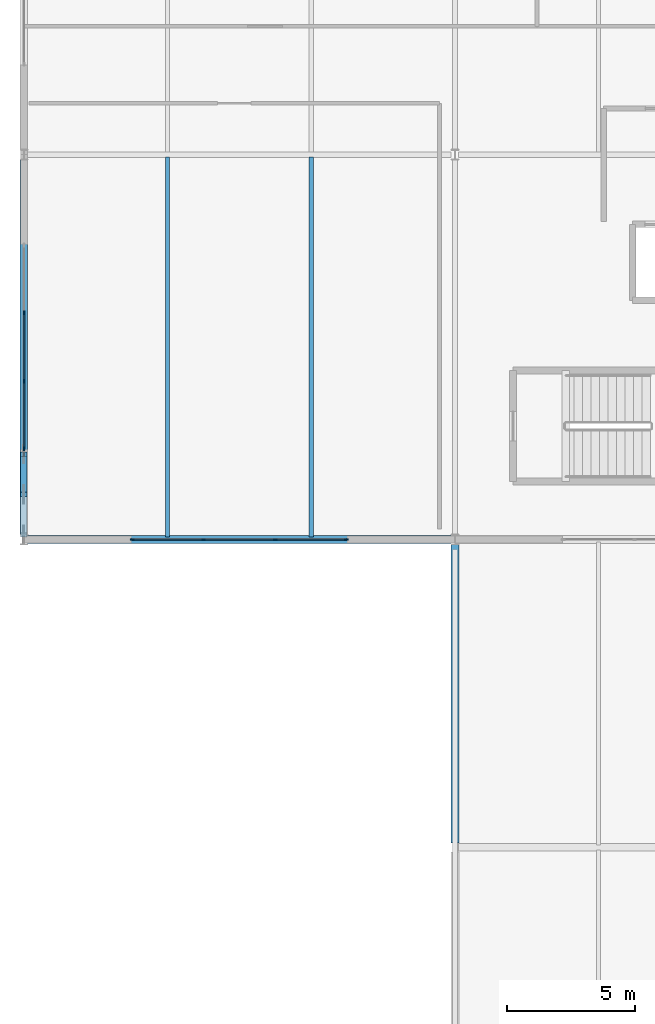
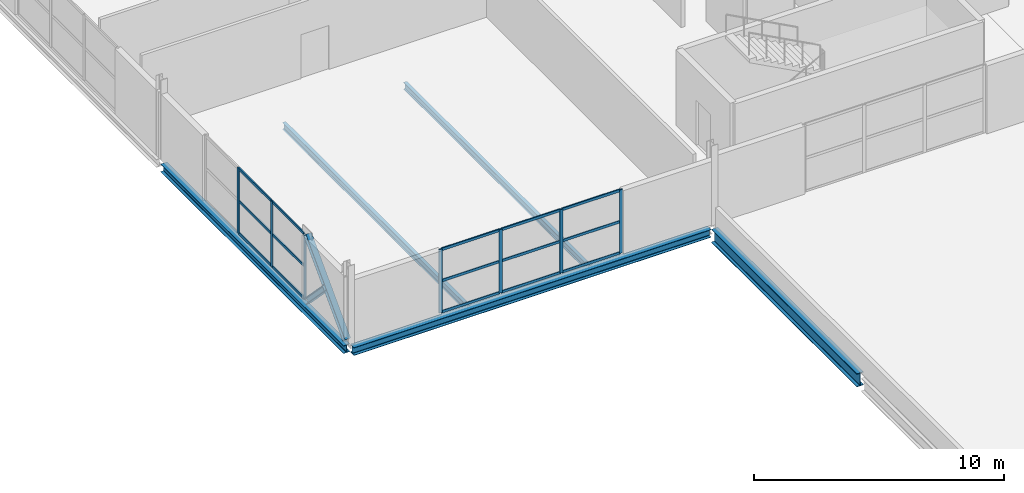
# One storey, part 7 of 36: 24 members, 5 beams, 2 elements without a shape of their own.
"""IFC4 building model written with IfcOpenShell, lengths in metres."""

from ifc_helpers import new_model, si_unit, direction, frame, origin, origin_2d, place, context, subcontext, project, spatial, rectangle, i_section, extrude, material, material_profile, profile_set, type_object, element, aggregate, save


model = new_model("IFC4")

# Units and contexts
model_context = context("Model", 3, precision=1e-05, world=origin(), true_north=direction((0.0, 1.0)))
body_context = subcontext(model_context, "Body", "Model", "MODEL_VIEW")
ifc_project = project(units=[si_unit("LENGTHUNIT", "METRE"), si_unit("AREAUNIT", "SQUARE_METRE"), si_unit("VOLUMEUNIT", "CUBIC_METRE"), si_unit("PLANEANGLEUNIT", "RADIAN"), si_unit("MASSUNIT", "GRAM", prefix="KILO")], contexts=[model_context])

# Site, building, storey
site_placement = place(None, origin())
site = spatial("IfcSite", under=ifc_project, at=site_placement, CompositionType="ELEMENT")
building_placement = place(site_placement, origin())
building = spatial("IfcBuilding", under=site, at=building_placement, Name="Kimbaza Rail Terminus", CompositionType="ELEMENT")
storey_placement = place(building_placement, frame((0.0, 0.0, 21.0)))
storey = spatial("IfcBuildingStorey", under=building, at=storey_placement, Name="L04", CompositionType="ELEMENT", Elevation=21.0)

# Curtain wall, members
ifc_material_1 = material(Name="Anodised aluminium framing and solar low-E glazing", Category="aluminium")
curtain_wall_type = type_object("IfcCurtainWallType", Name="ARC-CW-OP2", PredefinedType="USERDEFINED", material=ifc_material_1)
curtain_wall_1_placement = place(storey_placement, origin())
curtain_wall_1 = element("IfcCurtainWall", 1, at=curtain_wall_1_placement, inside=storey, type_object=curtain_wall_type, Name="Operations South Curtain Wall L04 Bay 1", ObjectType="STICK CURTAIN WALL", PredefinedType="USERDEFINED")
ifc_material_2 = material(Name="Anodised architectural aluminium", Category="aluminium")
ifc_material_profile_1 = material_profile(ifc_material_2, rectangle(XDim=0.05810546875, YDim=0.14990234375, at=origin_2d()), Name="MULLION 58x150")
ifc_profile_set_1 = profile_set([ifc_material_profile_1], Name="Anodised architectural aluminium")
member_type_1 = type_object("IfcMemberType", Name="ARC-CWM-06", PredefinedType="MULLION", material=ifc_profile_set_1)
member_1_placement = place(storey_placement, frame((59.428955078125, 103.0, 0.0), z_axis=(0.0, 0.0, 1.0), x_axis=(0.0, 1.0, 0.0)))
member_1 = element("IfcMember", 2, at=member_1_placement, type_object=member_type_1, Name="CW-06 mullion 1", PredefinedType="MULLION", context=body_context, shape_type="SweptSolid", body=[
    extrude(rectangle(XDim=0.05810546875, YDim=0.14990234375, at=origin_2d()), origin(), (0.0, 0.0, 1.0), 3.10498046875),
])
member_2_placement = place(storey_placement, frame((62.199951171875, 103.0, 0.0), z_axis=(0.0, 0.0, 1.0), x_axis=(0.0, 1.0, 0.0)))
member_2 = element("IfcMember", 3, at=member_2_placement, type_object=member_type_1, Name="CW-06 mullion 2", PredefinedType="MULLION", context=body_context, shape_type="SweptSolid", body=[
    extrude(rectangle(XDim=0.05810546875, YDim=0.14990234375, at=origin_2d()), origin(), (0.0, 0.0, 1.0), 3.10498046875),
])
member_3_placement = place(storey_placement, frame((65.0, 103.0, 0.0), z_axis=(0.0, 0.0, 1.0), x_axis=(0.0, 1.0, 0.0)))
member_3 = element("IfcMember", 4, at=member_3_placement, type_object=member_type_1, Name="CW-06 mullion 3", PredefinedType="MULLION", context=body_context, shape_type="SweptSolid", body=[
    extrude(rectangle(XDim=0.05810546875, YDim=0.14990234375, at=origin_2d()), origin(), (0.0, 0.0, 1.0), 3.10498046875),
])
member_4_placement = place(storey_placement, frame((67.77099609375, 103.0, 0.0), z_axis=(0.0, 0.0, 1.0), x_axis=(0.0, 1.0, 0.0)))
member_4 = element("IfcMember", 5, at=member_4_placement, type_object=member_type_1, Name="CW-06 mullion 4", PredefinedType="MULLION", context=body_context, shape_type="SweptSolid", body=[
    extrude(rectangle(XDim=0.05810546875, YDim=0.14990234375, at=origin_2d()), origin(), (0.0, 0.0, 1.0), 3.10498046875),
])

curtain_wall_2_placement = place(storey_placement, origin())
curtain_wall_2 = element("IfcCurtainWall", 6, at=curtain_wall_2_placement, inside=storey, type_object=curtain_wall_type, Name="Operations W Curtain Wall L04.1", ObjectType="STICK CURTAIN WALL", PredefinedType="USERDEFINED")
member_5_placement = place(storey_placement, frame((55.199951171875, 106.529052734375, 0.0), z_axis=(0.0, 0.0, 1.0), x_axis=(-1.0, 0.0, 0.0)))
member_5 = element("IfcMember", 7, at=member_5_placement, type_object=member_type_1, Name="CW-06 mullion 1", PredefinedType="MULLION", context=body_context, shape_type="SweptSolid", body=[
    extrude(rectangle(XDim=0.05810546875, YDim=0.14990234375, at=origin_2d()), origin(), (0.0, 0.0, 1.0), 3.205078125),
])
member_6_placement = place(storey_placement, frame((55.199951171875, 109.166748046875, 0.0), z_axis=(0.0, 0.0, 1.0), x_axis=(-1.0, 0.0, 0.0)))
member_6 = element("IfcMember", 8, at=member_6_placement, type_object=member_type_1, Name="CW-06 mullion 2", PredefinedType="MULLION", context=body_context, shape_type="SweptSolid", body=[
    extrude(rectangle(XDim=0.05810546875, YDim=0.14990234375, at=origin_2d()), origin(), (0.0, 0.0, 1.0), 3.205078125),
])
member_7_placement = place(storey_placement, frame((55.199951171875, 111.833251953125, 0.0), z_axis=(0.0, 0.0, 1.0), x_axis=(-1.0, 0.0, 0.0)))
member_7 = element("IfcMember", 9, at=member_7_placement, type_object=member_type_1, Name="CW-06 mullion 3", PredefinedType="MULLION", context=body_context, shape_type="SweptSolid", body=[
    extrude(rectangle(XDim=0.05810546875, YDim=0.14990234375, at=origin_2d()), origin(), (0.0, 0.0, 1.0), 3.205078125),
])

# Member
ifc_material_3 = material(Name="Anodised architectural aluminium", Category="aluminium")
ifc_material_profile_2 = material_profile(ifc_material_3, rectangle(XDim=0.05810546875, YDim=0.125, at=origin_2d()), Name="TRANSOM 58x125")
ifc_profile_set_2 = profile_set([ifc_material_profile_2], Name="Anodised architectural aluminium")
member_type_2 = type_object("IfcMemberType", Name="ARC-CWT-06", PredefinedType="USERDEFINED", material=ifc_profile_set_2)
member_8_placement = place(storey_placement, frame((59.4580078125, 103.0, 0.029052734375), z_axis=(1.0, 0.0, 0.0), x_axis=(0.0, 1.0, 0.0)))
member_8 = element("IfcMember", 10, at=member_8_placement, type_object=member_type_2, Name="CW-06 transom 1.1", ObjectType="TRANSOM", PredefinedType="USERDEFINED", context=body_context, shape_type="SweptSolid", body=[
    extrude(rectangle(XDim=0.05810546875, YDim=0.125, at=origin_2d()), origin(), (0.0, 0.0, 1.0), 2.712890625),
])

member_9_placement = place(storey_placement, frame((59.4580078125, 103.0, 1.552490234375), z_axis=(1.0, 0.0, 0.0), x_axis=(0.0, 1.0, 0.0)))
member_9 = element("IfcMember", 11, at=member_9_placement, type_object=member_type_2, Name="CW-06 transom 1.2", ObjectType="TRANSOM", PredefinedType="USERDEFINED", context=body_context, shape_type="SweptSolid", body=[
    extrude(rectangle(XDim=0.05810546875, YDim=0.125, at=origin_2d()), origin(), (0.0, 0.0, 1.0), 2.712890625),
])

member_10_placement = place(storey_placement, frame((59.4580078125, 103.0, 3.075927734375), z_axis=(1.0, 0.0, 0.0), x_axis=(0.0, 1.0, 0.0)))
member_10 = element("IfcMember", 12, at=member_10_placement, type_object=member_type_2, Name="CW-06 transom 1.3", ObjectType="TRANSOM", PredefinedType="USERDEFINED", context=body_context, shape_type="SweptSolid", body=[
    extrude(rectangle(XDim=0.05810546875, YDim=0.125, at=origin_2d()), origin(), (0.0, 0.0, 1.0), 2.712890625),
])

member_11_placement = place(storey_placement, frame((62.22900390625, 103.0, 0.029052734375), z_axis=(1.0, 0.0, 0.0), x_axis=(0.0, 1.0, 0.0)))
member_11 = element("IfcMember", 13, at=member_11_placement, type_object=member_type_2, Name="CW-06 transom 2.1", ObjectType="TRANSOM", PredefinedType="USERDEFINED", context=body_context, shape_type="SweptSolid", body=[
    extrude(rectangle(XDim=0.05810546875, YDim=0.125, at=origin_2d()), origin(), (0.0, 0.0, 1.0), 2.741943359375),
])

member_12_placement = place(storey_placement, frame((62.22900390625, 103.0, 1.552490234375), z_axis=(1.0, 0.0, 0.0), x_axis=(0.0, 1.0, 0.0)))
member_12 = element("IfcMember", 14, at=member_12_placement, type_object=member_type_2, Name="CW-06 transom 2.2", ObjectType="TRANSOM", PredefinedType="USERDEFINED", context=body_context, shape_type="SweptSolid", body=[
    extrude(rectangle(XDim=0.05810546875, YDim=0.125, at=origin_2d()), origin(), (0.0, 0.0, 1.0), 2.741943359375),
])

member_13_placement = place(storey_placement, frame((62.22900390625, 103.0, 3.075927734375), z_axis=(1.0, 0.0, 0.0), x_axis=(0.0, 1.0, 0.0)))
member_13 = element("IfcMember", 15, at=member_13_placement, type_object=member_type_2, Name="CW-06 transom 2.3", ObjectType="TRANSOM", PredefinedType="USERDEFINED", context=body_context, shape_type="SweptSolid", body=[
    extrude(rectangle(XDim=0.05810546875, YDim=0.125, at=origin_2d()), origin(), (0.0, 0.0, 1.0), 2.741943359375),
])

member_14_placement = place(storey_placement, frame((65.029052734375, 103.0, 0.029052734375), z_axis=(1.0, 0.0, 0.0), x_axis=(0.0, 1.0, 0.0)))
member_14 = element("IfcMember", 16, at=member_14_placement, type_object=member_type_2, Name="CW-06 transom 3.1", ObjectType="TRANSOM", PredefinedType="USERDEFINED", context=body_context, shape_type="SweptSolid", body=[
    extrude(rectangle(XDim=0.05810546875, YDim=0.125, at=origin_2d()), origin(), (0.0, 0.0, 1.0), 2.712890625),
])

member_15_placement = place(storey_placement, frame((65.029052734375, 103.0, 1.552490234375), z_axis=(1.0, 0.0, 0.0), x_axis=(0.0, 1.0, 0.0)))
member_15 = element("IfcMember", 17, at=member_15_placement, type_object=member_type_2, Name="CW-06 transom 3.2", ObjectType="TRANSOM", PredefinedType="USERDEFINED", context=body_context, shape_type="SweptSolid", body=[
    extrude(rectangle(XDim=0.05810546875, YDim=0.125, at=origin_2d()), origin(), (0.0, 0.0, 1.0), 2.712890625),
])

member_16_placement = place(storey_placement, frame((65.029052734375, 103.0, 3.075927734375), z_axis=(1.0, 0.0, 0.0), x_axis=(0.0, 1.0, 0.0)))
member_16 = element("IfcMember", 18, at=member_16_placement, type_object=member_type_2, Name="CW-06 transom 3.3", ObjectType="TRANSOM", PredefinedType="USERDEFINED", context=body_context, shape_type="SweptSolid", body=[
    extrude(rectangle(XDim=0.05810546875, YDim=0.125, at=origin_2d()), origin(), (0.0, 0.0, 1.0), 2.712890625),
])

aggregate(curtain_wall_1, [member_1, member_2, member_3, member_4, member_8, member_9, member_10, member_11, member_12, member_13, member_14, member_15, member_16])

member_17_placement = place(storey_placement, frame((55.199951171875, 106.55810546875, 0.029052734375), z_axis=(0.0, 1.0, 0.0), x_axis=(-1.0, 0.0, 0.0)))
member_17 = element("IfcMember", 19, at=member_17_placement, type_object=member_type_2, Name="CW-06 transom 1.1", ObjectType="TRANSOM", PredefinedType="USERDEFINED", context=body_context, shape_type="SweptSolid", body=[
    extrude(rectangle(XDim=0.05810546875, YDim=0.125, at=origin_2d()), origin(), (0.0, 0.0, 1.0), 2.57958984375),
])

member_18_placement = place(storey_placement, frame((55.199951171875, 106.55810546875, 1.6025390625), z_axis=(0.0, 1.0, 0.0), x_axis=(-1.0, 0.0, 0.0)))
member_18 = element("IfcMember", 20, at=member_18_placement, type_object=member_type_2, Name="CW-06 transom 1.2", ObjectType="TRANSOM", PredefinedType="USERDEFINED", context=body_context, shape_type="SweptSolid", body=[
    extrude(rectangle(XDim=0.05810546875, YDim=0.125, at=origin_2d()), origin(), (0.0, 0.0, 1.0), 2.57958984375),
])

member_19_placement = place(storey_placement, frame((55.199951171875, 106.55810546875, 3.176025390625), z_axis=(0.0, 1.0, 0.0), x_axis=(-1.0, 0.0, 0.0)))
member_19 = element("IfcMember", 21, at=member_19_placement, type_object=member_type_2, Name="CW-06 transom 1.3", ObjectType="TRANSOM", PredefinedType="USERDEFINED", context=body_context, shape_type="SweptSolid", body=[
    extrude(rectangle(XDim=0.05810546875, YDim=0.125, at=origin_2d()), origin(), (0.0, 0.0, 1.0), 2.57958984375),
])

member_20_placement = place(storey_placement, frame((55.199951171875, 109.195556640625, 0.029052734375), z_axis=(0.0, 1.0, 0.0), x_axis=(-1.0, 0.0, 0.0)))
member_20 = element("IfcMember", 22, at=member_20_placement, type_object=member_type_2, Name="CW-06 transom 2.1", ObjectType="TRANSOM", PredefinedType="USERDEFINED", context=body_context, shape_type="SweptSolid", body=[
    extrude(rectangle(XDim=0.05810546875, YDim=0.125, at=origin_2d()), origin(), (0.0, 0.0, 1.0), 2.60888671875),
])

member_21_placement = place(storey_placement, frame((55.199951171875, 109.195556640625, 1.6025390625), z_axis=(0.0, 1.0, 0.0), x_axis=(-1.0, 0.0, 0.0)))
member_21 = element("IfcMember", 23, at=member_21_placement, type_object=member_type_2, Name="CW-06 transom 2.2", ObjectType="TRANSOM", PredefinedType="USERDEFINED", context=body_context, shape_type="SweptSolid", body=[
    extrude(rectangle(XDim=0.05810546875, YDim=0.125, at=origin_2d()), origin(), (0.0, 0.0, 1.0), 2.60888671875),
])

member_22_placement = place(storey_placement, frame((55.199951171875, 109.195556640625, 3.176025390625), z_axis=(0.0, 1.0, 0.0), x_axis=(-1.0, 0.0, 0.0)))
member_22 = element("IfcMember", 24, at=member_22_placement, type_object=member_type_2, Name="CW-06 transom 2.3", ObjectType="TRANSOM", PredefinedType="USERDEFINED", context=body_context, shape_type="SweptSolid", body=[
    extrude(rectangle(XDim=0.05810546875, YDim=0.125, at=origin_2d()), origin(), (0.0, 0.0, 1.0), 2.60888671875),
])

aggregate(curtain_wall_2, [member_5, member_6, member_7, member_17, member_18, member_19, member_20, member_21, member_22])

# Beams
ifc_material_4 = material(Name="Steel S355", Category="steel")
ifc_material_profile_3 = material_profile(ifc_material_4, i_section(OverallWidth=0.300048828125, OverallDepth=0.389892578125, WebThickness=0.010986328125, FlangeThickness=0.01904296875, FilletRadius=0.027099609375, at=origin_2d()), Name="HEA 400")
ifc_profile_set_3 = profile_set([ifc_material_profile_3], Name="Steel S355")
beam_type_1 = type_object("IfcBeamType", Name="STR-BM-HEA400", PredefinedType="SPANDREL", material=ifc_profile_set_3)
beam_1_placement = place(storey_placement, frame((55.345947265625, 103.0, -0.39501953125), z_axis=(1.0, 0.0, 0.0), x_axis=(0.0, 1.0, 0.0)))
element("IfcBeam", 25, at=beam_1_placement, inside=storey, type_object=beam_type_1, Name="Operations Girder L04 X0-Y0", PredefinedType="SPANDREL", context=body_context, shape_type="SweptSolid", body=[
    extrude(i_section(OverallWidth=0.300048828125, OverallDepth=0.389892578125, WebThickness=0.010986328125, FlangeThickness=0.01904296875, FilletRadius=0.027099609375, at=origin_2d()), origin(), (0.0, 0.0, 1.0), 16.508056640625),
])
beam_2_placement = place(storey_placement, frame((55.199951171875, 103.175048828125, -0.39501953125), z_axis=(0.0, 1.0, 0.0), x_axis=(-1.0, 0.0, 0.0)))
element("IfcBeam", 26, at=beam_2_placement, inside=storey, type_object=beam_type_1, Name="Operations Cross Girder L04 X0-Y0", PredefinedType="SPANDREL", context=body_context, shape_type="SweptSolid", body=[
    extrude(i_section(OverallWidth=0.300048828125, OverallDepth=0.389892578125, WebThickness=0.010986328125, FlangeThickness=0.01904296875, FilletRadius=0.027099609375, at=origin_2d()), origin(), (0.0, 0.0, 1.0), 14.64990234375),
])
ifc_material_5 = material(Name="Steel S355", Category="steel")
ifc_material_profile_4 = material_profile(ifc_material_5, i_section(OverallWidth=0.300048828125, OverallDepth=0.64990234375, WebThickness=0.01611328125, FlangeThickness=0.031005859375, FilletRadius=0.027099609375, at=origin_2d()), Name="HEB 650")
ifc_profile_set_4 = profile_set([ifc_material_profile_4], Name="Steel S355")
beam_type_2 = type_object("IfcBeamType", Name="STR-BM-HEB650", PredefinedType="USERDEFINED", material=ifc_profile_set_4)
beam_3_placement = place(storey_placement, frame((72.0, 91.175048828125, -0.5), z_axis=(0.0, 1.0, 0.0), x_axis=(-1.0, 0.0, 0.0)))
element("IfcBeam", 27, at=beam_3_placement, inside=storey, type_object=beam_type_2, Name="Beam BM-BRGRFY-72-91", ObjectType="GIRDER", PredefinedType="USERDEFINED", context=body_context, shape_type="SweptSolid", body=[
    extrude(i_section(OverallWidth=0.300048828125, OverallDepth=0.64990234375, WebThickness=0.01611328125, FlangeThickness=0.031005859375, FilletRadius=0.027099609375, at=origin_2d()), origin(), (0.0, 0.0, 1.0), 11.64990234375),
])
ifc_material_6 = material(Name="Steel S355", Category="steel")
ifc_material_profile_5 = material_profile(ifc_material_6, i_section(OverallWidth=0.159912109375, OverallDepth=0.330078125, WebThickness=0.007568359375, FlangeThickness=0.011474609375, FilletRadius=0.01806640625, at=origin_2d()), Name="IPE 330")
ifc_profile_set_5 = profile_set([ifc_material_profile_5], Name="Steel S355")
beam_type_3 = type_object("IfcBeamType", Name="STR-BM-IPE330", PredefinedType="JOIST", material=ifc_profile_set_5)
for number, where, z_axis, x_axis, name in (
    (28, (60.800048828125, 103.10009765625, -0.364990234375), (0.0, 1.0, 0.0), (-1.0, 0.0, 0.0), "Operations Secondary Joist L04"),
    (29, (66.39990234375, 103.10009765625, -0.364990234375), (0.0, 1.0, 0.0), (-1.0, 0.0, 0.0), "Operations Secondary Joist L04"),
):
    element("IfcBeam", number, at=place(storey_placement, frame(where, z_axis=z_axis, x_axis=x_axis)), inside=storey, type_object=beam_type_3, Name=name, PredefinedType="JOIST", context=body_context, shape_type="SweptSolid", body=[
        extrude(i_section(OverallWidth=0.159912109375, OverallDepth=0.330078125, WebThickness=0.007568359375, FlangeThickness=0.011474609375, FilletRadius=0.01806640625, at=origin_2d()), origin(), (0.0, 0.0, 1.0), 14.7998046875),
    ])

# Members
ifc_material_7 = material(Name="Steel S355", Category="steel")
ifc_material_profile_6 = material_profile(ifc_material_7, i_section(OverallWidth=0.260009765625, OverallDepth=0.260009765625, WebThickness=0.010009765625, FlangeThickness=0.017578125, FilletRadius=0.02392578125, at=origin_2d()), Name="HEB 260")
ifc_profile_set_6 = profile_set([ifc_material_profile_6], Name="Steel S355")
member_type_3 = type_object("IfcMemberType", Name="STR-MB-HEB260", PredefinedType="BRACE", material=ifc_profile_set_6)
member_23_placement = place(storey_placement, frame((55.199951171875, 103.179931640625, 0.050048828125), z_axis=(0.0, 0.694847066987, 0.719157530378), x_axis=(-1.0, 0.0, 0.0)))
element("IfcMember", 30, at=member_23_placement, inside=storey, type_object=member_type_3, Name="Perimeter X-Brace Continuous Diagonal 1", PredefinedType="BRACE", context=body_context, shape_type="SweptSolid", body=[
    extrude(i_section(OverallWidth=0.260009765625, OverallDepth=0.260009765625, WebThickness=0.010009765625, FlangeThickness=0.017578125, FilletRadius=0.02392578125, at=origin_2d()), origin(), (0.0, 0.0, 1.0), 4.519287109375),
])
member_24_placement = place(storey_placement, frame((55.199951171875, 106.320068359375, 0.050048828125), z_axis=(0.0, -0.694847066987, 0.719157530378), x_axis=(1.0, 0.0, 0.0)))
element("IfcMember", 31, at=member_24_placement, inside=storey, type_object=member_type_3, Name="Perimeter X-Brace Split Diagonal 1A", PredefinedType="BRACE", context=body_context, shape_type="SweptSolid", body=[
    extrude(i_section(OverallWidth=0.260009765625, OverallDepth=0.260009765625, WebThickness=0.010009765625, FlangeThickness=0.017578125, FilletRadius=0.02392578125, at=origin_2d()), origin(), (0.0, 0.0, 1.0), 2.259521484375),
])

save(model, "model.ifc")
